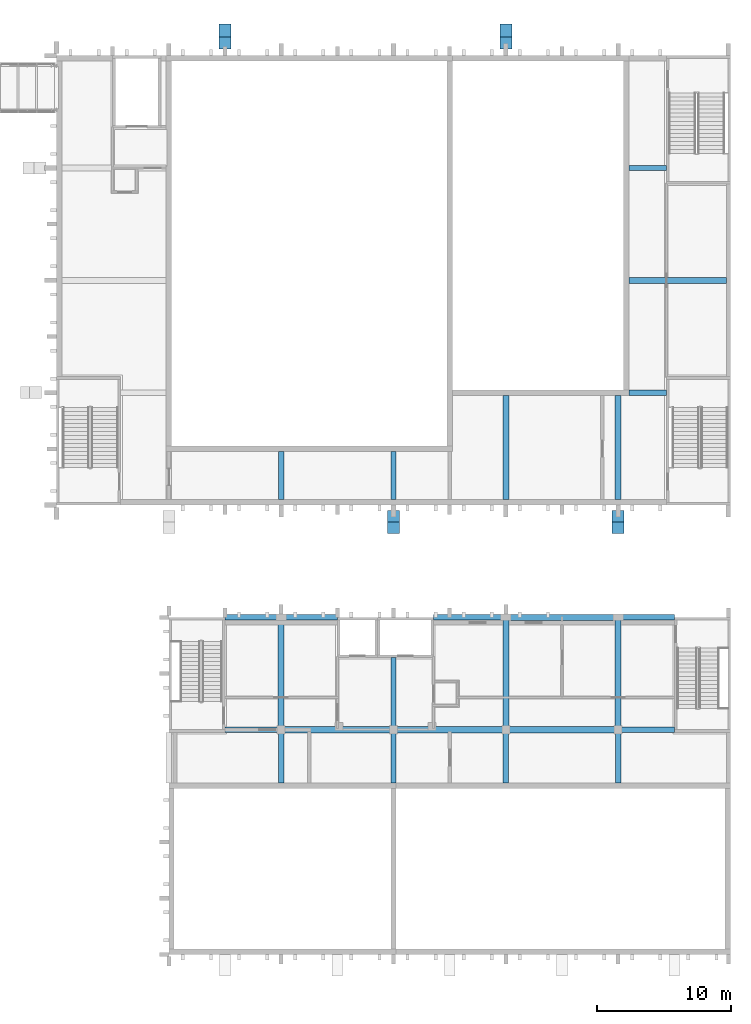
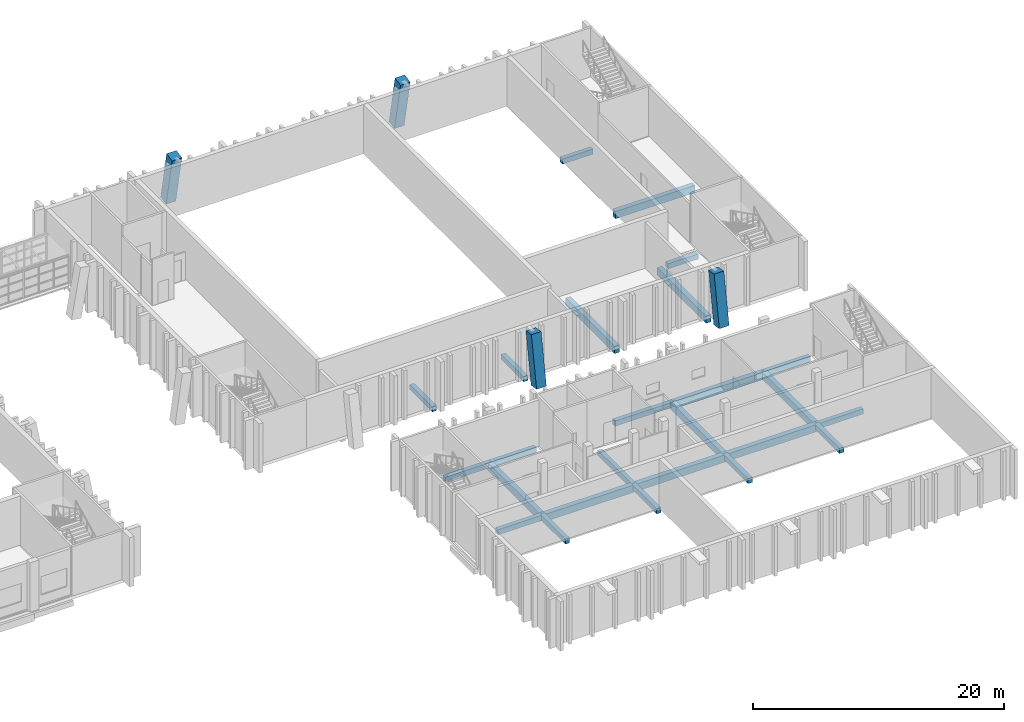
# One storey, part 14 of 91: 25 beams, 4 members.
"""IFC4 building model written with IfcOpenShell, lengths in metres."""

from ifc_helpers import new_model, si_unit, direction, frame, origin, origin_2d, place, context, subcontext, project, spatial, rectangle, extrude, material, material_profile, profile_set, type_object, element, save


model = new_model("IFC4")

# Units and contexts
model_context = context("Model", 3, precision=1e-05, world=origin(), true_north=direction((0.0, 1.0)))
body_context = subcontext(model_context, "Body", "Model", "MODEL_VIEW")
ifc_project = project(units=[si_unit("LENGTHUNIT", "METRE"), si_unit("AREAUNIT", "SQUARE_METRE"), si_unit("VOLUMEUNIT", "CUBIC_METRE"), si_unit("PLANEANGLEUNIT", "RADIAN"), si_unit("MASSUNIT", "GRAM", prefix="KILO")], contexts=[model_context])

# Site, building, storey
site_placement = place(None, origin())
site = spatial("IfcSite", under=ifc_project, at=site_placement, CompositionType="ELEMENT")
building_placement = place(site_placement, origin())
building = spatial("IfcBuilding", under=site, at=building_placement, Name="Kiln Court Media Centre", CompositionType="ELEMENT")
storey_placement = place(building_placement, frame((0.0, 0.0, 5.39990234375)))
storey = spatial("IfcBuildingStorey", under=building, at=storey_placement, Name="L01", CompositionType="ELEMENT", Elevation=5.39990234375)

# Beams
ifc_material_1 = material(Name="Concrete C30/37", Category="concrete")
ifc_material_profile_1 = material_profile(ifc_material_1, rectangle(XDim=0.39990234375, YDim=0.5, at=origin_2d()), Name="RC 400x500")
ifc_profile_set_1 = profile_set([ifc_material_profile_1], Name="Concrete C30/37")
beam_type_1 = type_object("IfcBeamType", Name="Concrete C30/37 beam 400x500", PredefinedType="BEAM", material=ifc_profile_set_1)
for number, where, z_axis, x_axis, name in (
    (1, (134.39990234375, 34.0, -0.5498046875), (0.0, 1.0, 0.0), (-1.0, 0.0, 0.0), "L01-B-1103"),
    (2, (142.800048828125, 34.0, -0.5498046875), (0.0, 1.0, 0.0), (-1.0, 0.0, 0.0), "L01-B-1104"),
):
    element("IfcBeam", number, at=place(storey_placement, frame(where, z_axis=z_axis, x_axis=x_axis)), inside=storey, type_object=beam_type_1, Name=name, PredefinedType="BEAM", context=body_context, shape_type="SweptSolid", body=[
        extrude(rectangle(XDim=0.39990234375, YDim=0.5, at=origin_2d()), origin(), (0.0, 0.0, 1.0), 3.60009765625),
    ])
for number, where, z_axis, x_axis, name in (
    (3, (160.39990234375, 42.0, -0.5498046875), (1.0, 0.0, 0.0), (0.0, 1.0, 0.0), "L01-B-1108"),
    (4, (160.39990234375, 58.800048828125, -0.5498046875), (1.0, 0.0, 0.0), (0.0, 1.0, 0.0), "L01-B-1112"),
):
    element("IfcBeam", number, at=place(storey_placement, frame(where, z_axis=z_axis, x_axis=x_axis)), inside=storey, type_object=beam_type_1, Name=name, PredefinedType="BEAM", context=body_context, shape_type="SweptSolid", body=[
        extrude(rectangle(XDim=0.39990234375, YDim=0.5, at=origin_2d()), origin(), (0.0, 0.0, 1.0), 2.800048828125),
    ])
for number, where, z_axis, x_axis, name in (
    (5, (134.39990234375, 12.800048828125, -0.5498046875), (0.0, 1.0, 0.0), (-1.0, 0.0, 0.0), "L01-B-1114"),
    (6, (142.800048828125, 12.800048828125, -0.5498046875), (0.0, 1.0, 0.0), (-1.0, 0.0, 0.0), "L01-B-1116"),
):
    element("IfcBeam", number, at=place(storey_placement, frame(where, z_axis=z_axis, x_axis=x_axis)), inside=storey, type_object=beam_type_1, Name=name, PredefinedType="BEAM", context=body_context, shape_type="SweptSolid", body=[
        extrude(rectangle(XDim=0.39990234375, YDim=0.5, at=origin_2d()), origin(), (0.0, 0.0, 1.0), 4.0),
    ])
beam_1_placement = place(storey_placement, frame((142.800048828125, 16.800048828125, -0.5498046875), z_axis=(0.0, 1.0, 0.0), x_axis=(-1.0, 0.0, 0.0)))
element("IfcBeam", 7, at=beam_1_placement, inside=storey, type_object=beam_type_1, Name="L01-B-1117", PredefinedType="BEAM", context=body_context, shape_type="SweptSolid", body=[
    extrude(rectangle(XDim=0.39990234375, YDim=0.5, at=origin_2d()), origin(), (0.0, 0.0, 1.0), 5.39990234375),
])
for number, where, z_axis, x_axis, name in (
    (8, (151.199951171875, 12.800048828125, -0.5498046875), (0.0, 1.0, 0.0), (-1.0, 0.0, 0.0), "L01-B-1118"),
    (9, (159.60009765625, 12.800048828125, -0.5498046875), (0.0, 1.0, 0.0), (-1.0, 0.0, 0.0), "L01-B-1120"),
):
    element("IfcBeam", number, at=place(storey_placement, frame(where, z_axis=z_axis, x_axis=x_axis)), inside=storey, type_object=beam_type_1, Name=name, PredefinedType="BEAM", context=body_context, shape_type="SweptSolid", body=[
        extrude(rectangle(XDim=0.39990234375, YDim=0.5, at=origin_2d()), origin(), (0.0, 0.0, 1.0), 4.0),
    ])
for number, where, z_axis, x_axis, name in (
    (10, (130.199951171875, 16.800048828125, -0.5498046875), (1.0, 0.0, 0.0), (0.0, 1.0, 0.0), "L01-B-1122"),
    (11, (159.60009765625, 16.800048828125, -0.5498046875), (1.0, 0.0, 0.0), (0.0, 1.0, 0.0), "L01-B-1126"),
    (12, (130.199951171875, 25.199951171875, -0.5498046875), (1.0, 0.0, 0.0), (0.0, 1.0, 0.0), "L01-B-1127"),
):
    element("IfcBeam", number, at=place(storey_placement, frame(where, z_axis=z_axis, x_axis=x_axis)), inside=storey, type_object=beam_type_1, Name=name, PredefinedType="BEAM", context=body_context, shape_type="SweptSolid", body=[
        extrude(rectangle(XDim=0.39990234375, YDim=0.5, at=origin_2d()), origin(), (0.0, 0.0, 1.0), 4.199951171875),
    ])
beam_2_placement = place(storey_placement, frame((134.39990234375, 25.199951171875, -0.5498046875), z_axis=(1.0, 0.0, 0.0), x_axis=(0.0, 1.0, 0.0)))
element("IfcBeam", 13, at=beam_2_placement, inside=storey, type_object=beam_type_1, Name="L01-B-1128", PredefinedType="BEAM", context=body_context, shape_type="SweptSolid", body=[
    extrude(rectangle(XDim=0.39990234375, YDim=0.5, at=origin_2d()), origin(), (0.0, 0.0, 1.0), 4.2001953125),
])
beam_3_placement = place(storey_placement, frame((145.800048828125, 25.199951171875, -0.5498046875), z_axis=(1.0, 0.0, 0.0), x_axis=(0.0, 1.0, 0.0)))
element("IfcBeam", 14, at=beam_3_placement, inside=storey, type_object=beam_type_1, Name="L01-B-1129", PredefinedType="BEAM", context=body_context, shape_type="SweptSolid", body=[
    extrude(rectangle(XDim=0.39990234375, YDim=0.5, at=origin_2d()), origin(), (0.0, 0.0, 1.0), 5.39990234375),
])
beam_4_placement = place(storey_placement, frame((159.60009765625, 25.199951171875, -0.5498046875), z_axis=(1.0, 0.0, 0.0), x_axis=(0.0, 1.0, 0.0)))
element("IfcBeam", 15, at=beam_4_placement, inside=storey, type_object=beam_type_1, Name="L01-B-1131", PredefinedType="BEAM", context=body_context, shape_type="SweptSolid", body=[
    extrude(rectangle(XDim=0.39990234375, YDim=0.5, at=origin_2d()), origin(), (0.0, 0.0, 1.0), 4.199951171875),
])
ifc_material_2 = material(Name="Concrete C30/37", Category="concrete")
ifc_material_profile_2 = material_profile(ifc_material_2, rectangle(XDim=0.449951171875, YDim=0.699951171875, at=origin_2d()), Name="RC 450x700")
ifc_profile_set_2 = profile_set([ifc_material_profile_2], Name="Concrete C30/37")
beam_type_2 = type_object("IfcBeamType", Name="Concrete C30/37 beam 450x700", PredefinedType="BEAM", material=ifc_profile_set_2)
for number, where, z_axis, x_axis, name in (
    (16, (151.199951171875, 34.0, -0.64990234375), (0.0, 1.0, 0.0), (-1.0, 0.0, 0.0), "L01-B-1105"),
    (17, (159.60009765625, 34.0, -0.64990234375), (0.0, 1.0, 0.0), (-1.0, 0.0, 0.0), "L01-B-1106"),
):
    element("IfcBeam", number, at=place(storey_placement, frame(where, z_axis=z_axis, x_axis=x_axis)), inside=storey, type_object=beam_type_2, Name=name, PredefinedType="BEAM", context=body_context, shape_type="SweptSolid", body=[
        extrude(rectangle(XDim=0.449951171875, YDim=0.699951171875, at=origin_2d()), origin(), (0.0, 0.0, 1.0), 7.800048828125),
    ])
beam_5_placement = place(storey_placement, frame((160.39990234375, 50.39990234375, -0.64990234375), z_axis=(1.0, 0.0, 0.0), x_axis=(0.0, 1.0, 0.0)))
element("IfcBeam", 18, at=beam_5_placement, inside=storey, type_object=beam_type_2, Name="L01-B-1110", PredefinedType="BEAM", context=body_context, shape_type="SweptSolid", body=[
    extrude(rectangle(XDim=0.449951171875, YDim=0.699951171875, at=origin_2d()), origin(), (0.0, 0.0, 1.0), 7.300048828125),
])
for number, where, z_axis, x_axis, name in (
    (19, (134.39990234375, 16.800048828125, -0.64990234375), (0.0, 1.0, 0.0), (-1.0, 0.0, 0.0), "L01-B-1115"),
    (20, (151.199951171875, 16.800048828125, -0.64990234375), (0.0, 1.0, 0.0), (-1.0, 0.0, 0.0), "L01-B-1119"),
    (21, (159.60009765625, 16.800048828125, -0.64990234375), (0.0, 1.0, 0.0), (-1.0, 0.0, 0.0), "L01-B-1121"),
):
    element("IfcBeam", number, at=place(storey_placement, frame(where, z_axis=z_axis, x_axis=x_axis)), inside=storey, type_object=beam_type_2, Name=name, PredefinedType="BEAM", context=body_context, shape_type="SweptSolid", body=[
        extrude(rectangle(XDim=0.449951171875, YDim=0.699951171875, at=origin_2d()), origin(), (0.0, 0.0, 1.0), 8.39990234375),
    ])
beam_6_placement = place(storey_placement, frame((134.39990234375, 16.800048828125, -0.64990234375), z_axis=(1.0, 0.0, 0.0), x_axis=(0.0, 1.0, 0.0)))
element("IfcBeam", 22, at=beam_6_placement, inside=storey, type_object=beam_type_2, Name="L01-B-1123", PredefinedType="BEAM", context=body_context, shape_type="SweptSolid", body=[
    extrude(rectangle(XDim=0.449951171875, YDim=0.699951171875, at=origin_2d()), origin(), (0.0, 0.0, 1.0), 8.400146484375),
])
beam_7_placement = place(storey_placement, frame((142.800048828125, 16.800048828125, -0.64990234375), z_axis=(1.0, 0.0, 0.0), x_axis=(0.0, 1.0, 0.0)))
element("IfcBeam", 23, at=beam_7_placement, inside=storey, type_object=beam_type_2, Name="L01-B-1124", PredefinedType="BEAM", context=body_context, shape_type="SweptSolid", body=[
    extrude(rectangle(XDim=0.449951171875, YDim=0.699951171875, at=origin_2d()), origin(), (0.0, 0.0, 1.0), 8.39990234375),
])
for number, where, z_axis, x_axis, name in (
    (24, (151.199951171875, 16.800048828125, -0.64990234375), (1.0, 0.0, 0.0), (0.0, 1.0, 0.0), "L01-B-1125"),
    (25, (151.199951171875, 25.199951171875, -0.64990234375), (1.0, 0.0, 0.0), (0.0, 1.0, 0.0), "L01-B-1130"),
):
    element("IfcBeam", number, at=place(storey_placement, frame(where, z_axis=z_axis, x_axis=x_axis)), inside=storey, type_object=beam_type_2, Name=name, PredefinedType="BEAM", context=body_context, shape_type="SweptSolid", body=[
        extrude(rectangle(XDim=0.449951171875, YDim=0.699951171875, at=origin_2d()), origin(), (0.0, 0.0, 1.0), 8.400146484375),
    ])

# Members
ifc_material_3 = material(Name="Concrete C40/50", Category="concrete")
ifc_material_profile_3 = material_profile(ifc_material_3, rectangle(XDim=0.89990234375, YDim=0.89990234375, at=origin_2d()), Name="RC 900x900")
ifc_profile_set_3 = profile_set([ifc_material_profile_3], Name="Concrete C40/50")
member_type = type_object("IfcMemberType", Name="Concrete C40/50 raked column 900x900", PredefinedType="STRUT", material=ifc_profile_set_3)
for number, where, z_axis, x_axis, name in (
    (26, (142.800048828125, 31.93603515625, 0.0), (0.0, 0.170791264486, 0.985307233291), (-1.0, 0.0, 0.0), "L01-M-1008"),
    (27, (159.60009765625, 31.93603515625, 0.0), (0.0, 0.170791264486, 0.985307233291), (-1.0, 0.0, 0.0), "L01-M-1009"),
):
    element("IfcMember", number, at=place(storey_placement, frame(where, z_axis=z_axis, x_axis=x_axis)), inside=storey, type_object=member_type, Name=name, PredefinedType="STRUT", context=body_context, shape_type="SweptSolid", body=[
        extrude(rectangle(XDim=0.89990234375, YDim=0.89990234375, at=origin_2d()), origin(), (0.0, 0.0, 1.0), 4.87158203125),
    ])
for number, where, z_axis, x_axis, name in (
    (28, (130.199951171875, 69.1201171875, 0.0), (0.0, -0.196154499615, 0.980573002015), (1.0, 0.0, 0.0), "L01-M-1010"),
    (29, (151.199951171875, 69.1201171875, 0.0), (0.0, -0.196154499615, 0.980573002015), (1.0, 0.0, 0.0), "L01-M-1011"),
):
    element("IfcMember", number, at=place(storey_placement, frame(where, z_axis=z_axis, x_axis=x_axis)), inside=storey, type_object=member_type, Name=name, PredefinedType="STRUT", context=body_context, shape_type="SweptSolid", body=[
        extrude(rectangle(XDim=0.89990234375, YDim=0.89990234375, at=origin_2d()), origin(), (0.0, 0.0, 1.0), 4.895263671875),
    ])

save(model, "model.ifc")
